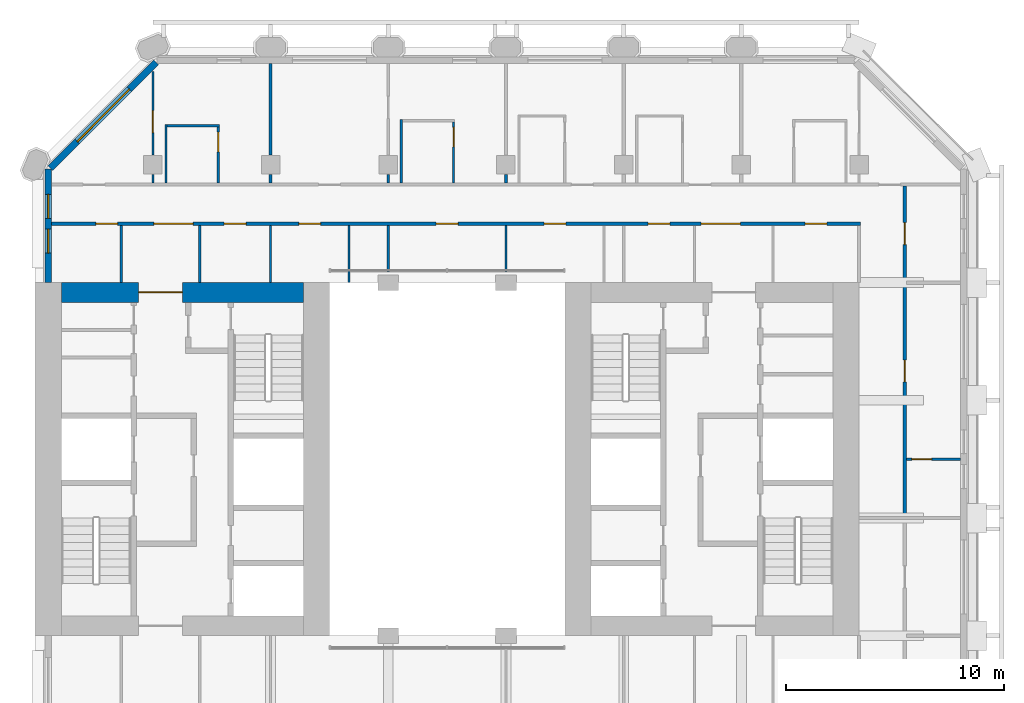
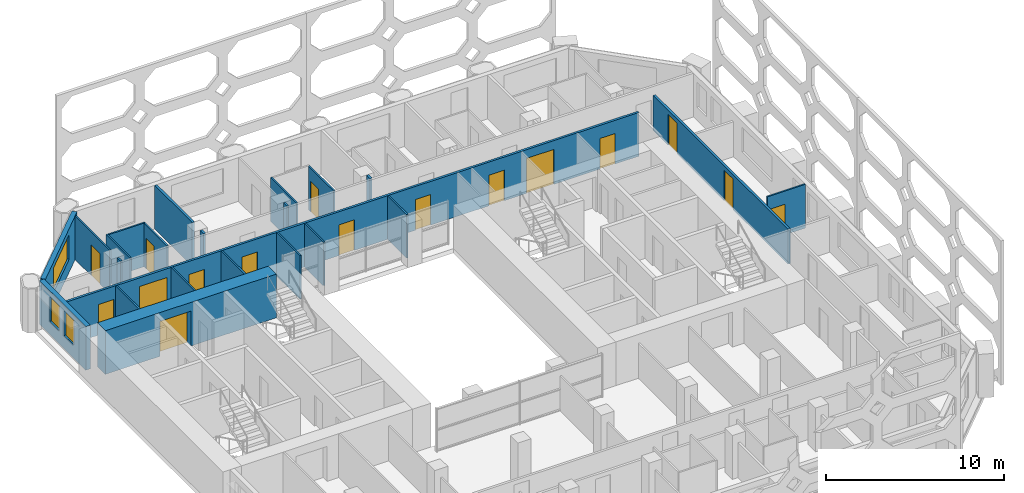
# One storey, part 9 of 14: 23 walls, 16 doors, 3 windows, 19 openings.
"""IFC4 building model written with IfcOpenShell, lengths in metres."""

from ifc_helpers import new_model, si_unit, direction, frame, frame_2d, origin, place, context, subcontext, project, spatial, rectangle, extrude, material, layer, layer_set, type_object, element, fill, save


model = new_model("IFC4")

# Units and contexts
model_context = context("Model", 3, precision=1e-05, world=origin(), true_north=direction((0.0, 1.0)))
body_context = subcontext(model_context, "Body", "Model", "MODEL_VIEW")
ifc_project = project(units=[si_unit("LENGTHUNIT", "METRE"), si_unit("AREAUNIT", "SQUARE_METRE"), si_unit("VOLUMEUNIT", "CUBIC_METRE"), si_unit("PLANEANGLEUNIT", "RADIAN"), si_unit("MASSUNIT", "GRAM", prefix="KILO")], contexts=[model_context])

# Site, building, storey
site_placement = place(None, origin())
site = spatial("IfcSite", under=ifc_project, at=site_placement, CompositionType="ELEMENT")
building_placement = place(site_placement, origin())
building = spatial("IfcBuilding", under=site, at=building_placement, Name="Tabaq Tower and Sports Hall", CompositionType="ELEMENT")
storey_placement = place(building_placement, frame((0.0, 0.0, 166.0)))
storey = spatial("IfcBuildingStorey", under=building, at=storey_placement, Name="L39", CompositionType="ELEMENT", Elevation=166.0)

# Wall, opening, door
ifc_material_1 = material(Name="Concrete C50/60", Category="concrete")
ifc_layer_1 = layer(ifc_material_1, 0.89990234375)
ifc_layer_set_1 = layer_set([ifc_layer_1], Name="Core wall 900 Concrete C50/60")
wall_type_1 = type_object("IfcWallType", Name="Core wall 900 Concrete C50/60", PredefinedType="SOLIDWALL", material=ifc_layer_set_1)
wall_1_placement = place(storey_placement, frame((6.60009765625, 31.949951171875, 0.0), z_axis=(0.0, 0.0, 1.0), x_axis=(1.0, 0.0, 0.0)))
wall_1 = element("IfcWall", 1, at=wall_1_placement, inside=storey, type_object=wall_type_1, Name="Core wall W L39", PredefinedType="SOLIDWALL", context=body_context, shape_type="SweptSolid", body=[
    extrude(rectangle(XDim=11.099853515625, YDim=0.89990234375, at=frame_2d((5.5498046875, 0.0))), origin(), (0.0, 0.0, 1.0), 3.0),
])
opening_1_placement = place(wall_1_placement, frame((3.550048828125, 0.0, 0.0)))
opening_1 = element("IfcOpeningElement", 2, at=opening_1_placement, cuts=wall_1, Name="Opening PD-WL39-02", PredefinedType="OPENING", context=body_context, shape_type="SweptSolid", body=[
    extrude(rectangle(XDim=2.0, YDim=2.39990234375, at=frame_2d((1.0, 1.199951171875))), frame((0.0, 0.449951171875, 0.0), z_axis=(0.0, -1.0, 0.0), x_axis=(1.0, 0.0, 0.0)), (0.0, 0.0, 1.0), 0.89990234375),
])
ifc_material_2 = material(Name="Steel fire door", Category="steel")
door_type_1 = type_object("IfcDoorType", Name="Core entrance door 2000", OperationType="DOUBLE_DOOR_SINGLE_SWING", PredefinedType="DOOR", material=ifc_material_2)
door_1_placement = place(opening_1_placement, origin())
door_1 = element("IfcDoor", 3, at=door_1_placement, inside=storey, type_object=door_type_1, Name="Core entrance north W L39", OperationType="DOUBLE_DOOR_SINGLE_SWING", OverallHeight=2.39990234375, OverallWidth=2.0, PredefinedType="DOOR", context=body_context, shape_type="SweptSolid", body=[
    extrude(rectangle(XDim=2.0, YDim=2.39990234375, at=frame_2d((1.0, 1.199951171875))), frame((0.0, 0.02490234375, 0.0), z_axis=(0.0, -1.0, 0.0), x_axis=(1.0, 0.0, 0.0)), (0.0, 0.0, 1.0), 0.050048828125),
])
fill(opening_1, door_1)

ifc_material_3 = material(Name="Gypsum board on steel studs", Category="steel")
ifc_layer_2 = layer(ifc_material_3, 0.10009765625)
ifc_layer_set_2 = layer_set([ifc_layer_2], Name="Partition 100 Gypsum board")
wall_type_2 = type_object("IfcWallType", Name="Partition 100 Gypsum board", PredefinedType="PARTITIONING", material=ifc_layer_set_2)
wall_2_placement = place(storey_placement, frame((10.800048828125, 42.087890625, 0.0), z_axis=(0.0, 0.0, 1.0), x_axis=(0.0, -1.0, 0.0)))
wall_2 = element("IfcWall", 4, at=wall_2_placement, inside=storey, type_object=wall_type_2, Name="Partition wall L39", PredefinedType="PARTITIONING", context=body_context, shape_type="SweptSolid", body=[
    extrude(rectangle(XDim=3.8427734375, YDim=0.10009765625, at=frame_2d((1.92138671875, 0.0))), origin(), (0.0, 0.0, 1.0), 3.0),
])
opening_2_placement = place(wall_2_placement, frame((1.80029296875, 0.0, 0.0)))
opening_2 = element("IfcOpeningElement", 5, at=opening_2_placement, cuts=wall_2, Name="Opening L39-028", PredefinedType="OPENING", context=body_context, shape_type="SweptSolid", body=[
    extrude(rectangle(XDim=1.0, YDim=2.10009765625, at=frame_2d((0.5, 1.050048828125))), frame((0.0, 0.050048828125, 0.0), z_axis=(0.0, -1.0, 0.0), x_axis=(1.0, 0.0, 0.0)), (0.0, 0.0, 1.0), 0.10009765625),
])
ifc_material_4 = material(Name="Timber leaf in steel frame", Category="steel")
door_type_2 = type_object("IfcDoorType", Name="Internal door 1000 right hand", OperationType="SINGLE_SWING_RIGHT", PredefinedType="DOOR", material=ifc_material_4)
door_2_placement = place(opening_2_placement, origin())
door_2 = element("IfcDoor", 6, at=door_2_placement, inside=storey, type_object=door_type_2, Name="Internal door L39-028", OperationType="SINGLE_SWING_RIGHT", OverallHeight=2.10009765625, OverallWidth=1.0, PredefinedType="DOOR", context=body_context, shape_type="SweptSolid", body=[
    extrude(rectangle(XDim=1.0, YDim=2.10009765625, at=frame_2d((0.5, 1.050048828125))), frame((0.0, 0.02490234375, 0.0), z_axis=(0.0, -1.0, 0.0), x_axis=(1.0, 0.0, 0.0)), (0.0, 0.0, 1.0), 0.050048828125),
])
fill(opening_2, door_2)

# Walls
wall_3_placement = place(storey_placement, frame((10.800048828125, 37.35498046875, 0.0), z_axis=(0.0, 0.0, 1.0), x_axis=(0.0, -1.0, 0.0)))
element("IfcWall", 7, at=wall_3_placement, inside=storey, type_object=wall_type_2, Name="Partition wall L39", PredefinedType="PARTITIONING", context=body_context, shape_type="SweptSolid", body=[
    extrude(rectangle(XDim=0.3798828125, YDim=0.10009765625, at=frame_2d((0.18994140625, 0.0))), origin(), (0.0, 0.0, 1.0), 3.0),
])
wall_4_placement = place(storey_placement, frame((11.39990234375, 36.97509765625, 0.0), z_axis=(0.0, 0.0, 1.0), x_axis=(0.0, 1.0, 0.0)))
element("IfcWall", 8, at=wall_4_placement, inside=storey, type_object=wall_type_2, Name="Partition wall L39", PredefinedType="PARTITIONING", context=body_context, shape_type="SweptSolid", body=[
    extrude(rectangle(XDim=2.6748046875, YDim=0.10009765625, at=frame_2d((1.33740234375, 0.0))), origin(), (0.0, 0.0, 1.0), 3.0),
])
wall_5_placement = place(storey_placement, frame((11.449951171875, 39.60009765625, 0.0), z_axis=(0.0, 0.0, 1.0), x_axis=(1.0, 0.0, 0.0)))
element("IfcWall", 9, at=wall_5_placement, inside=storey, type_object=wall_type_2, Name="Partition wall L39", PredefinedType="PARTITIONING", context=body_context, shape_type="SweptSolid", body=[
    extrude(rectangle(XDim=2.400146484375, YDim=0.10009765625, at=frame_2d((1.2001953125, 0.0))), origin(), (0.0, 0.0, 1.0), 3.0),
])

# Wall, opening, door
wall_6_placement = place(storey_placement, frame((13.800048828125, 39.550048828125, 0.0), z_axis=(0.0, 0.0, 1.0), x_axis=(0.0, -1.0, 0.0)))
wall_6 = element("IfcWall", 10, at=wall_6_placement, inside=storey, type_object=wall_type_2, Name="Partition wall L39", PredefinedType="PARTITIONING", context=body_context, shape_type="SweptSolid", body=[
    extrude(rectangle(XDim=2.574951171875, YDim=0.10009765625, at=frame_2d((1.28759765625, 0.0))), origin(), (0.0, 0.0, 1.0), 3.0),
])
opening_3_placement = place(wall_6_placement, frame((0.25, 0.0, 0.0)))
opening_3 = element("IfcOpeningElement", 11, at=opening_3_placement, cuts=wall_6, Name="Opening L39-002", PredefinedType="OPENING", context=body_context, shape_type="SweptSolid", body=[
    extrude(rectangle(XDim=0.89990234375, YDim=2.10009765625, at=frame_2d((0.449951171875, 1.050048828125))), frame((0.0, 0.050048828125, 0.0), z_axis=(0.0, -1.0, 0.0), x_axis=(1.0, 0.0, 0.0)), (0.0, 0.0, 1.0), 0.10009765625),
])
ifc_material_5 = material(Name="Timber leaf in steel frame", Category="steel")
door_type_3 = type_object("IfcDoorType", Name="Internal door 900 right hand", OperationType="SINGLE_SWING_RIGHT", PredefinedType="DOOR", material=ifc_material_5)
door_3_placement = place(opening_3_placement, origin())
door_3 = element("IfcDoor", 12, at=door_3_placement, inside=storey, type_object=door_type_3, Name="Internal door L39-002", OperationType="SINGLE_SWING_RIGHT", OverallHeight=2.10009765625, OverallWidth=0.89990234375, PredefinedType="DOOR", context=body_context, shape_type="SweptSolid", body=[
    extrude(rectangle(XDim=0.89990234375, YDim=2.10009765625, at=frame_2d((0.449951171875, 1.050048828125))), frame((0.0, 0.02490234375, 0.0), z_axis=(0.0, -1.0, 0.0), x_axis=(1.0, 0.0, 0.0)), (0.0, 0.0, 1.0), 0.050048828125),
])
fill(opening_3, door_3)

# Walls
wall_7_placement = place(storey_placement, frame((21.60009765625, 37.35498046875, 0.0), z_axis=(0.0, 0.0, 1.0), x_axis=(0.0, -1.0, 0.0)))
element("IfcWall", 13, at=wall_7_placement, inside=storey, type_object=wall_type_2, Name="Partition wall L39", PredefinedType="PARTITIONING", context=body_context, shape_type="SweptSolid", body=[
    extrude(rectangle(XDim=0.3798828125, YDim=0.10009765625, at=frame_2d((0.18994140625, 0.0))), origin(), (0.0, 0.0, 1.0), 3.0),
])
wall_8_placement = place(storey_placement, frame((22.199951171875, 36.97509765625, 0.0), z_axis=(0.0, 0.0, 1.0), x_axis=(0.0, 1.0, 0.0)))
element("IfcWall", 14, at=wall_8_placement, inside=storey, type_object=wall_type_2, Name="Partition wall L39", PredefinedType="PARTITIONING", context=body_context, shape_type="SweptSolid", body=[
    extrude(rectangle(XDim=2.89990234375, YDim=0.10009765625, at=frame_2d((1.449951171875, 0.0))), origin(), (0.0, 0.0, 1.0), 3.0),
])

# Wall, opening, door
wall_9_placement = place(storey_placement, frame((24.60009765625, 39.77490234375, 0.0), z_axis=(0.0, 0.0, 1.0), x_axis=(0.0, -1.0, 0.0)))
wall_9 = element("IfcWall", 15, at=wall_9_placement, inside=storey, type_object=wall_type_2, Name="Partition wall L39", PredefinedType="PARTITIONING", context=body_context, shape_type="SweptSolid", body=[
    extrude(rectangle(XDim=2.7998046875, YDim=0.10009765625, at=frame_2d((1.39990234375, 0.0))), origin(), (0.0, 0.0, 1.0), 3.0),
])
opening_4_placement = place(wall_9_placement, frame((0.25, 0.0, 0.0)))
opening_4 = element("IfcOpeningElement", 16, at=opening_4_placement, cuts=wall_9, Name="Opening L39-003", PredefinedType="OPENING", context=body_context, shape_type="SweptSolid", body=[
    extrude(rectangle(XDim=0.89990234375, YDim=2.10009765625, at=frame_2d((0.449951171875, 1.050048828125))), frame((0.0, 0.050048828125, 0.0), z_axis=(0.0, -1.0, 0.0), x_axis=(1.0, 0.0, 0.0)), (0.0, 0.0, 1.0), 0.10009765625),
])
door_4_placement = place(opening_4_placement, origin())
door_4 = element("IfcDoor", 17, at=door_4_placement, inside=storey, type_object=door_type_3, Name="Internal door L39-003", OperationType="SINGLE_SWING_RIGHT", OverallHeight=2.10009765625, OverallWidth=0.89990234375, PredefinedType="DOOR", context=body_context, shape_type="SweptSolid", body=[
    extrude(rectangle(XDim=0.89990234375, YDim=2.10009765625, at=frame_2d((0.449951171875, 1.050048828125))), frame((0.0, 0.02490234375, 0.0), z_axis=(0.0, -1.0, 0.0), x_axis=(1.0, 0.0, 0.0)), (0.0, 0.0, 1.0), 0.050048828125),
])
fill(opening_4, door_4)

# Walls
for number, where, z_axis, x_axis, name in (
    (18, (16.199951171875, 35.02490234375, 0.0), (0.0, 0.0, 1.0), (0.0, -1.0, 0.0), "Partition wall L39"),
    (19, (19.800048828125, 32.39990234375, 0.0), (0.0, 0.0, 1.0), (0.0, 1.0, 0.0), "Partition wall L39"),
):
    element("IfcWall", number, at=place(storey_placement, frame(where, z_axis=z_axis, x_axis=x_axis)), inside=storey, type_object=wall_type_2, Name=name, PredefinedType="PARTITIONING", context=body_context, shape_type="SweptSolid", body=[
        extrude(rectangle(XDim=2.625, YDim=0.10009765625, at=frame_2d((1.3125, 0.0))), origin(), (0.0, 0.0, 1.0), 3.0),
    ])
for number, where, z_axis, x_axis, name in (
    (20, (21.60009765625, 35.02490234375, 0.0), (0.0, 0.0, 1.0), (0.0, -1.0, 0.0), "Partition wall L39"),
    (21, (27.0, 32.89501953125, 0.0), (0.0, 0.0, 1.0), (0.0, 1.0, 0.0), "Partition wall L39"),
):
    element("IfcWall", number, at=place(storey_placement, frame(where, z_axis=z_axis, x_axis=x_axis)), inside=storey, type_object=wall_type_2, Name=name, PredefinedType="PARTITIONING", context=body_context, shape_type="SweptSolid", body=[
        extrude(rectangle(XDim=2.1298828125, YDim=0.10009765625, at=frame_2d((1.06494140625, 0.0))), origin(), (0.0, 0.0, 1.0), 3.0),
    ])

# Wall, opening, door
wall_10_placement = place(storey_placement, frame((45.375, 24.300048828125, 0.0), z_axis=(0.0, 0.0, 1.0), x_axis=(1.0, 0.0, 0.0)))
wall_10 = element("IfcWall", 22, at=wall_10_placement, inside=storey, type_object=wall_type_2, Name="Partition wall L39", PredefinedType="PARTITIONING", context=body_context, shape_type="SweptSolid", body=[
    extrude(rectangle(XDim=2.47412109375, YDim=0.10009765625, at=frame_2d((1.237060546875, 0.0))), origin(), (0.0, 0.0, 1.0), 3.0),
])
opening_5_placement = place(wall_10_placement, frame((0.25, 0.0, 0.0)))
opening_5 = element("IfcOpeningElement", 23, at=opening_5_placement, cuts=wall_10, Name="Opening L39-010", PredefinedType="OPENING", context=body_context, shape_type="SweptSolid", body=[
    extrude(rectangle(XDim=0.89990234375, YDim=2.10009765625, at=frame_2d((0.449951171875, 1.050048828125))), frame((0.0, 0.050048828125, 0.0), z_axis=(0.0, -1.0, 0.0), x_axis=(1.0, 0.0, 0.0)), (0.0, 0.0, 1.0), 0.10009765625),
])
door_5_placement = place(opening_5_placement, origin())
door_5 = element("IfcDoor", 24, at=door_5_placement, inside=storey, type_object=door_type_3, Name="Internal door L39-010", OperationType="SINGLE_SWING_RIGHT", OverallHeight=2.10009765625, OverallWidth=0.89990234375, PredefinedType="DOOR", context=body_context, shape_type="SweptSolid", body=[
    extrude(rectangle(XDim=0.89990234375, YDim=2.10009765625, at=frame_2d((0.449951171875, 1.050048828125))), frame((0.0, 0.02490234375, 0.0), z_axis=(0.0, -1.0, 0.0), x_axis=(1.0, 0.0, 0.0)), (0.0, 0.0, 1.0), 0.050048828125),
])
fill(opening_5, door_5)

# Walls
for number, where, z_axis, x_axis, name in (
    (25, (9.35009765625, 35.02490234375, 0.0), (0.0, 0.0, 1.0), (0.0, -1.0, 0.0), "Partition wall L39"),
    (26, (12.949951171875, 32.39990234375, 0.0), (0.0, 0.0, 1.0), (0.0, 1.0, 0.0), "Partition wall L39"),
):
    element("IfcWall", number, at=place(storey_placement, frame(where, z_axis=z_axis, x_axis=x_axis)), inside=storey, type_object=wall_type_2, Name=name, PredefinedType="PARTITIONING", context=body_context, shape_type="SweptSolid", body=[
        extrude(rectangle(XDim=2.625, YDim=0.10009765625, at=frame_2d((1.3125, 0.0))), origin(), (0.0, 0.0, 1.0), 3.0),
    ])
ifc_material_6 = material(Name="Blockwork", Category="masonry")
ifc_layer_3 = layer(ifc_material_6, 0.14990234375)
ifc_layer_set_3 = layer_set([ifc_layer_3], Name="Separating wall 150 Blockwork")
wall_type_3 = type_object("IfcWallType", Name="Separating wall 150 Blockwork", PredefinedType="PARTITIONING", material=ifc_layer_set_3)
wall_11_placement = place(storey_placement, frame((16.199951171875, 36.97509765625, 0.0), z_axis=(0.0, 0.0, 1.0), x_axis=(0.0, 1.0, 0.0)))
element("IfcWall", 27, at=wall_11_placement, inside=storey, type_object=wall_type_3, Name="Separating wall L39", PredefinedType="PARTITIONING", context=body_context, shape_type="SweptSolid", body=[
    extrude(rectangle(XDim=0.3798828125, YDim=0.14990234375, at=frame_2d((0.18994140625, 0.0))), origin(), (0.0, 0.0, 1.0), 3.0),
])
wall_12_placement = place(storey_placement, frame((16.199951171875, 38.2451171875, 0.0), z_axis=(0.0, 0.0, 1.0), x_axis=(0.0, 1.0, 0.0)))
element("IfcWall", 28, at=wall_12_placement, inside=storey, type_object=wall_type_3, Name="Separating wall L39", PredefinedType="PARTITIONING", context=body_context, shape_type="SweptSolid", body=[
    extrude(rectangle(XDim=4.203857421875, YDim=0.14990234375, at=frame_2d((2.10205078125, 0.0))), origin(), (0.0, 0.0, 1.0), 3.0),
])
wall_13_placement = place(storey_placement, frame((27.0, 36.97509765625, 0.0), z_axis=(0.0, 0.0, 1.0), x_axis=(0.0, 1.0, 0.0)))
element("IfcWall", 29, at=wall_13_placement, inside=storey, type_object=wall_type_3, Name="Separating wall L39", PredefinedType="PARTITIONING", context=body_context, shape_type="SweptSolid", body=[
    extrude(rectangle(XDim=0.3798828125, YDim=0.14990234375, at=frame_2d((0.18994140625, 0.0))), origin(), (0.0, 0.0, 1.0), 3.0),
])

# Wall, openings, doors
wall_14_placement = place(storey_placement, frame((45.300048828125, 36.824951171875, 0.0), z_axis=(0.0, 0.0, 1.0), x_axis=(0.0, -1.0, 0.0)))
wall_14 = element("IfcWall", 30, at=wall_14_placement, inside=storey, type_object=wall_type_3, Name="Separating wall L39", PredefinedType="PARTITIONING", context=body_context, shape_type="SweptSolid", body=[
    extrude(rectangle(XDim=15.14990234375, YDim=0.14990234375, at=frame_2d((7.574951171875, 0.0))), origin(), (0.0, 0.0, 1.0), 2.39990234375),
])
opening_6_placement = place(wall_14_placement, frame((1.675048828125, 0.0, 0.0)))
opening_6 = element("IfcOpeningElement", 31, at=opening_6_placement, cuts=wall_14, Name="Opening L39-001", PredefinedType="OPENING", context=body_context, shape_type="SweptSolid", body=[
    extrude(rectangle(XDim=1.0, YDim=2.10009765625, at=frame_2d((0.5, 1.050048828125))), frame((0.0, 0.074951171875, 0.0), z_axis=(0.0, -1.0, 0.0), x_axis=(1.0, 0.0, 0.0)), (0.0, 0.0, 1.0), 0.14990234375),
])
opening_7_placement = place(wall_14_placement, frame((7.97509765625, 0.0, 0.0)))
opening_7 = element("IfcOpeningElement", 32, at=opening_7_placement, cuts=wall_14, Name="Opening L39-036", PredefinedType="OPENING", context=body_context, shape_type="SweptSolid", body=[
    extrude(rectangle(XDim=1.0, YDim=2.10009765625, at=frame_2d((0.5, 1.050048828125))), frame((0.0, 0.074951171875, 0.0), z_axis=(0.0, -1.0, 0.0), x_axis=(1.0, 0.0, 0.0)), (0.0, 0.0, 1.0), 0.14990234375),
])
ifc_material_7 = material(Name="Steel fire door", Category="steel")
door_type_4 = type_object("IfcDoorType", Name="Entrance door 1000 right hand", OperationType="SINGLE_SWING_RIGHT", PredefinedType="DOOR", material=ifc_material_7)
door_6_placement = place(opening_7_placement, origin())
door_6 = element("IfcDoor", 33, at=door_6_placement, inside=storey, type_object=door_type_4, Name="Entrance door L39-036", OperationType="SINGLE_SWING_RIGHT", OverallHeight=2.10009765625, OverallWidth=1.0, PredefinedType="DOOR", context=body_context, shape_type="SweptSolid", body=[
    extrude(rectangle(XDim=1.0, YDim=2.10009765625, at=frame_2d((0.5, 1.050048828125))), frame((0.0, 0.02490234375, 0.0), z_axis=(0.0, -1.0, 0.0), x_axis=(1.0, 0.0, 0.0)), (0.0, 0.0, 1.0), 0.050048828125),
])
fill(opening_7, door_6)
ifc_material_8 = material(Name="Timber leaf in steel frame", Category="steel")
door_type_5 = type_object("IfcDoorType", Name="Internal door 1000 left hand", OperationType="SINGLE_SWING_LEFT", PredefinedType="DOOR", material=ifc_material_8)
door_7_placement = place(opening_6_placement, origin())
door_7 = element("IfcDoor", 34, at=door_7_placement, inside=storey, type_object=door_type_5, Name="Internal door L39-001", OperationType="SINGLE_SWING_LEFT", OverallHeight=2.10009765625, OverallWidth=1.0, PredefinedType="DOOR", context=body_context, shape_type="SweptSolid", body=[
    extrude(rectangle(XDim=1.0, YDim=2.10009765625, at=frame_2d((0.5, 1.050048828125))), frame((0.0, 0.02490234375, 0.0), z_axis=(0.0, -1.0, 0.0), x_axis=(1.0, 0.0, 0.0)), (0.0, 0.0, 1.0), 0.050048828125),
])
fill(opening_6, door_7)

wall_15_placement = place(storey_placement, frame((43.27490234375, 35.10009765625, 0.0), z_axis=(0.0, 0.0, 1.0), x_axis=(-1.0, 0.0, 0.0)))
wall_15 = element("IfcWall", 35, at=wall_15_placement, inside=storey, type_object=wall_type_3, Name="Separating wall L39", PredefinedType="PARTITIONING", context=body_context, shape_type="SweptSolid", body=[
    extrude(rectangle(XDim=37.1240234375, YDim=0.14990234375, at=frame_2d((18.56201171875, 0.0))), origin(), (0.0, 0.0, 1.0), 3.0),
])
opening_8_placement = place(wall_15_placement, frame((24.77490234375, 0.0, 0.0)))
opening_8 = element("IfcOpeningElement", 36, at=opening_8_placement, cuts=wall_15, Name="Opening L39-007", PredefinedType="OPENING", context=body_context, shape_type="SweptSolid", body=[
    extrude(rectangle(XDim=1.0, YDim=2.10009765625, at=frame_2d((0.5, 1.050048828125))), frame((0.0, 0.074951171875, 0.0), z_axis=(0.0, -1.0, 0.0), x_axis=(1.0, 0.0, 0.0)), (0.0, 0.0, 1.0), 0.14990234375),
])
opening_9_placement = place(wall_15_placement, frame((18.47509765625, 0.0, 0.0)))
opening_9 = element("IfcOpeningElement", 37, at=opening_9_placement, cuts=wall_15, Name="Opening L39-008", PredefinedType="OPENING", context=body_context, shape_type="SweptSolid", body=[
    extrude(rectangle(XDim=1.0, YDim=2.10009765625, at=frame_2d((0.5, 1.050048828125))), frame((0.0, 0.074951171875, 0.0), z_axis=(0.0, -1.0, 0.0), x_axis=(1.0, 0.0, 0.0)), (0.0, 0.0, 1.0), 0.14990234375),
])
opening_10_placement = place(wall_15_placement, frame((13.52490234375, 0.0, 0.0)))
opening_10 = element("IfcOpeningElement", 38, at=opening_10_placement, cuts=wall_15, Name="Opening L39-009", PredefinedType="OPENING", context=body_context, shape_type="SweptSolid", body=[
    extrude(rectangle(XDim=1.0, YDim=2.10009765625, at=frame_2d((0.5, 1.050048828125))), frame((0.0, 0.074951171875, 0.0), z_axis=(0.0, -1.0, 0.0), x_axis=(1.0, 0.0, 0.0)), (0.0, 0.0, 1.0), 0.14990234375),
])
opening_11_placement = place(wall_15_placement, frame((34.094970703125, 0.0, 0.0)))
opening_11 = element("IfcOpeningElement", 39, at=opening_11_placement, cuts=wall_15, Name="Opening L39-011", PredefinedType="OPENING", context=body_context, shape_type="SweptSolid", body=[
    extrude(rectangle(XDim=1.0, YDim=2.10009765625, at=frame_2d((0.5, 1.050048828125))), frame((0.0, 0.074951171875, 0.0), z_axis=(0.0, -1.0, 0.0), x_axis=(1.0, 0.0, 0.0)), (0.0, 0.0, 1.0), 0.14990234375),
])
opening_12_placement = place(wall_15_placement, frame((8.75, 0.0, 0.0)))
opening_12 = element("IfcOpeningElement", 40, at=opening_12_placement, cuts=wall_15, Name="Opening L39-012", PredefinedType="OPENING", context=body_context, shape_type="SweptSolid", body=[
    extrude(rectangle(XDim=1.0, YDim=2.10009765625, at=frame_2d((0.5, 1.050048828125))), frame((0.0, 0.074951171875, 0.0), z_axis=(0.0, -1.0, 0.0), x_axis=(1.0, 0.0, 0.0)), (0.0, 0.0, 1.0), 0.14990234375),
])
opening_13_placement = place(wall_15_placement, frame((1.550048828125, 0.0, 0.0)))
opening_13 = element("IfcOpeningElement", 41, at=opening_13_placement, cuts=wall_15, Name="Opening L39-013", PredefinedType="OPENING", context=body_context, shape_type="SweptSolid", body=[
    extrude(rectangle(XDim=1.0, YDim=2.10009765625, at=frame_2d((0.5, 1.050048828125))), frame((0.0, 0.074951171875, 0.0), z_axis=(0.0, -1.0, 0.0), x_axis=(1.0, 0.0, 0.0)), (0.0, 0.0, 1.0), 0.14990234375),
])
opening_14_placement = place(wall_15_placement, frame((28.199951171875, 0.0, 0.0)))
opening_14 = element("IfcOpeningElement", 42, at=opening_14_placement, cuts=wall_15, Name="Opening L39-014", PredefinedType="OPENING", context=body_context, shape_type="SweptSolid", body=[
    extrude(rectangle(XDim=1.0, YDim=2.10009765625, at=frame_2d((0.5, 1.050048828125))), frame((0.0, 0.074951171875, 0.0), z_axis=(0.0, -1.0, 0.0), x_axis=(1.0, 0.0, 0.0)), (0.0, 0.0, 1.0), 0.14990234375),
])
opening_15_placement = place(wall_15_placement, frame((30.625, 0.0, 0.0)))
opening_15 = element("IfcOpeningElement", 43, at=opening_15_placement, cuts=wall_15, Name="Opening L39-037", PredefinedType="OPENING", context=body_context, shape_type="SweptSolid", body=[
    extrude(rectangle(XDim=1.800048828125, YDim=2.39990234375, at=frame_2d((0.89990234375, 1.199951171875))), frame((0.0, 0.074951171875, 0.0), z_axis=(0.0, -1.0, 0.0), x_axis=(1.0, 0.0, 0.0)), (0.0, 0.0, 1.0), 0.14990234375),
])
opening_16_placement = place(wall_15_placement, frame((5.52490234375, 0.0, 0.0)))
opening_16 = element("IfcOpeningElement", 44, at=opening_16_placement, cuts=wall_15, Name="Opening L39-038", PredefinedType="OPENING", context=body_context, shape_type="SweptSolid", body=[
    extrude(rectangle(XDim=1.800048828125, YDim=2.39990234375, at=frame_2d((0.89990234375, 1.199951171875))), frame((0.0, 0.074951171875, 0.0), z_axis=(0.0, -1.0, 0.0), x_axis=(1.0, 0.0, 0.0)), (0.0, 0.0, 1.0), 0.14990234375),
])
door_8_placement = place(opening_8_placement, origin())
door_8 = element("IfcDoor", 45, at=door_8_placement, inside=storey, type_object=door_type_5, Name="Internal door L39-007", OperationType="SINGLE_SWING_LEFT", OverallHeight=2.10009765625, OverallWidth=1.0, PredefinedType="DOOR", context=body_context, shape_type="SweptSolid", body=[
    extrude(rectangle(XDim=1.0, YDim=2.10009765625, at=frame_2d((0.5, 1.050048828125))), frame((0.0, 0.02490234375, 0.0), z_axis=(0.0, -1.0, 0.0), x_axis=(1.0, 0.0, 0.0)), (0.0, 0.0, 1.0), 0.050048828125),
])
fill(opening_8, door_8)
door_9_placement = place(opening_12_placement, origin())
door_9 = element("IfcDoor", 46, at=door_9_placement, inside=storey, type_object=door_type_5, Name="Internal door L39-012", OperationType="SINGLE_SWING_LEFT", OverallHeight=2.10009765625, OverallWidth=1.0, PredefinedType="DOOR", context=body_context, shape_type="SweptSolid", body=[
    extrude(rectangle(XDim=1.0, YDim=2.10009765625, at=frame_2d((0.5, 1.050048828125))), frame((0.0, 0.02490234375, 0.0), z_axis=(0.0, -1.0, 0.0), x_axis=(1.0, 0.0, 0.0)), (0.0, 0.0, 1.0), 0.050048828125),
])
fill(opening_12, door_9)
door_10_placement = place(opening_14_placement, origin())
door_10 = element("IfcDoor", 47, at=door_10_placement, inside=storey, type_object=door_type_5, Name="Internal door L39-014", OperationType="SINGLE_SWING_LEFT", OverallHeight=2.10009765625, OverallWidth=1.0, PredefinedType="DOOR", context=body_context, shape_type="SweptSolid", body=[
    extrude(rectangle(XDim=1.0, YDim=2.10009765625, at=frame_2d((0.5, 1.050048828125))), frame((0.0, 0.02490234375, 0.0), z_axis=(0.0, -1.0, 0.0), x_axis=(1.0, 0.0, 0.0)), (0.0, 0.0, 1.0), 0.050048828125),
])
fill(opening_14, door_10)
door_11_placement = place(opening_9_placement, origin())
door_11 = element("IfcDoor", 48, at=door_11_placement, inside=storey, type_object=door_type_2, Name="Internal door L39-008", OperationType="SINGLE_SWING_RIGHT", OverallHeight=2.10009765625, OverallWidth=1.0, PredefinedType="DOOR", context=body_context, shape_type="SweptSolid", body=[
    extrude(rectangle(XDim=1.0, YDim=2.10009765625, at=frame_2d((0.5, 1.050048828125))), frame((0.0, 0.02490234375, 0.0), z_axis=(0.0, -1.0, 0.0), x_axis=(1.0, 0.0, 0.0)), (0.0, 0.0, 1.0), 0.050048828125),
])
fill(opening_9, door_11)
door_12_placement = place(opening_10_placement, origin())
door_12 = element("IfcDoor", 49, at=door_12_placement, inside=storey, type_object=door_type_2, Name="Internal door L39-009", OperationType="SINGLE_SWING_RIGHT", OverallHeight=2.10009765625, OverallWidth=1.0, PredefinedType="DOOR", context=body_context, shape_type="SweptSolid", body=[
    extrude(rectangle(XDim=1.0, YDim=2.10009765625, at=frame_2d((0.5, 1.050048828125))), frame((0.0, 0.02490234375, 0.0), z_axis=(0.0, -1.0, 0.0), x_axis=(1.0, 0.0, 0.0)), (0.0, 0.0, 1.0), 0.050048828125),
])
fill(opening_10, door_12)
door_13_placement = place(opening_11_placement, origin())
door_13 = element("IfcDoor", 50, at=door_13_placement, inside=storey, type_object=door_type_2, Name="Internal door L39-011", OperationType="SINGLE_SWING_RIGHT", OverallHeight=2.10009765625, OverallWidth=1.0, PredefinedType="DOOR", context=body_context, shape_type="SweptSolid", body=[
    extrude(rectangle(XDim=1.0, YDim=2.10009765625, at=frame_2d((0.5, 1.050048828125))), frame((0.0, 0.02490234375, 0.0), z_axis=(0.0, -1.0, 0.0), x_axis=(1.0, 0.0, 0.0)), (0.0, 0.0, 1.0), 0.050048828125),
])
fill(opening_11, door_13)
door_14_placement = place(opening_13_placement, origin())
door_14 = element("IfcDoor", 51, at=door_14_placement, inside=storey, type_object=door_type_2, Name="Internal door L39-013", OperationType="SINGLE_SWING_RIGHT", OverallHeight=2.10009765625, OverallWidth=1.0, PredefinedType="DOOR", context=body_context, shape_type="SweptSolid", body=[
    extrude(rectangle(XDim=1.0, YDim=2.10009765625, at=frame_2d((0.5, 1.050048828125))), frame((0.0, 0.02490234375, 0.0), z_axis=(0.0, -1.0, 0.0), x_axis=(1.0, 0.0, 0.0)), (0.0, 0.0, 1.0), 0.050048828125),
])
fill(opening_13, door_14)
ifc_material_9 = material(Name="Timber leaf in steel frame", Category="steel")
door_type_6 = type_object("IfcDoorType", Name="Internal door 1800", OperationType="DOUBLE_DOOR_SINGLE_SWING", PredefinedType="DOOR", material=ifc_material_9)
door_15_placement = place(opening_15_placement, origin())
door_15 = element("IfcDoor", 52, at=door_15_placement, inside=storey, type_object=door_type_6, Name="Internal door L39-037", OperationType="DOUBLE_DOOR_SINGLE_SWING", OverallHeight=2.39990234375, OverallWidth=1.800048828125, PredefinedType="DOOR", context=body_context, shape_type="SweptSolid", body=[
    extrude(rectangle(XDim=1.800048828125, YDim=2.39990234375, at=frame_2d((0.89990234375, 1.199951171875))), frame((0.0, 0.02490234375, 0.0), z_axis=(0.0, -1.0, 0.0), x_axis=(1.0, 0.0, 0.0)), (0.0, 0.0, 1.0), 0.050048828125),
])
fill(opening_15, door_15)
door_16_placement = place(opening_16_placement, origin())
door_16 = element("IfcDoor", 53, at=door_16_placement, inside=storey, type_object=door_type_6, Name="Internal door L39-038", OperationType="DOUBLE_DOOR_SINGLE_SWING", OverallHeight=2.39990234375, OverallWidth=1.800048828125, PredefinedType="DOOR", context=body_context, shape_type="SweptSolid", body=[
    extrude(rectangle(XDim=1.800048828125, YDim=2.39990234375, at=frame_2d((0.89990234375, 1.199951171875))), frame((0.0, 0.02490234375, 0.0), z_axis=(0.0, -1.0, 0.0), x_axis=(1.0, 0.0, 0.0)), (0.0, 0.0, 1.0), 0.050048828125),
])
fill(opening_16, door_16)

# Wall, opening, window
ifc_material_10 = material(Name="White precast concrete C60/75", Category="concrete")
ifc_layer_4 = layer(ifc_material_10, 0.300048828125)
ifc_layer_set_4 = layer_set([ifc_layer_4], Name="White precast concrete C60/75 external wall 300")
wall_type_4 = type_object("IfcWallType", Name="White precast concrete C60/75 external wall 300", PredefinedType="SOLIDWALL", material=ifc_layer_set_4)
wall_16_placement = place(storey_placement, frame((10.949462890625, 42.5009765625, 0.0), z_axis=(0.0, 0.0, 1.0), x_axis=(-0.707106781187, -0.707106781187, 0.0)))
wall_16 = element("IfcWall", 54, at=wall_16_placement, inside=storey, type_object=wall_type_4, Name="External Wall L39 NW", PredefinedType="SOLIDWALL", context=body_context, shape_type="SweptSolid", body=[
    extrude(rectangle(XDim=6.85986328125, YDim=0.300048828125, at=frame_2d((3.429931640625, 0.0))), origin(), (0.0, 0.0, 1.0), 3.0),
])
opening_17_placement = place(wall_16_placement, frame((1.729736328125, 0.0, 0.89990234375)))
opening_17 = element("IfcOpeningElement", 55, at=opening_17_placement, cuts=wall_16, Name="Opening W1A", PredefinedType="OPENING", context=body_context, shape_type="SweptSolid", body=[
    extrude(rectangle(XDim=3.39990234375, YDim=1.699951171875, at=frame_2d((1.699951171875, 0.85009765625))), frame((0.0, 0.16015625, 0.0), z_axis=(0.0, -1.0, 0.0), x_axis=(1.0, 0.0, 0.0)), (0.0, 0.0, 1.0), 0.320068359375),
])
ifc_material_11 = material(Name="Aluminium framed clear glazing", Category="aluminium")
window_type_1 = type_object("IfcWindowType", Name="Window W1A", PartitioningType="SINGLE_PANEL", PredefinedType="WINDOW", material=ifc_material_11)
window_1_placement = place(opening_17_placement, origin())
window_1 = element("IfcWindow", 56, at=window_1_placement, inside=storey, type_object=window_type_1, Name="Window W1A L39", OverallHeight=1.699951171875, OverallWidth=3.39990234375, PartitioningType="SINGLE_PANEL", PredefinedType="WINDOW", context=body_context, shape_type="SweptSolid", body=[
    extrude(rectangle(XDim=3.39990234375, YDim=1.699951171875, at=frame_2d((1.699951171875, 0.85009765625))), frame((0.0, 0.030029296875, 0.0), z_axis=(0.0, -1.0, 0.0), x_axis=(1.0, 0.0, 0.0)), (0.0, 0.0, 1.0), 0.06005859375),
])
fill(opening_17, window_1)

# Wall, openings, windows
wall_17_placement = place(storey_placement, frame((6.0, 37.613525390625, 0.0), z_axis=(0.0, 0.0, 1.0), x_axis=(0.0, -1.0, 0.0)))
wall_17 = element("IfcWall", 57, at=wall_17_placement, inside=storey, type_object=wall_type_4, Name="External Wall L39 W", PredefinedType="SOLIDWALL", context=body_context, shape_type="SweptSolid", body=[
    extrude(rectangle(XDim=5.213623046875, YDim=0.300048828125, at=frame_2d((2.60693359375, 0.0))), origin(), (0.0, 0.0, 1.0), 3.0),
])
opening_18_placement = place(wall_17_placement, frame((1.16357421875, 0.0, 0.89990234375)))
opening_18 = element("IfcOpeningElement", 58, at=opening_18_placement, cuts=wall_17, Name="Opening W1B", PredefinedType="OPENING", context=body_context, shape_type="SweptSolid", body=[
    extrude(rectangle(XDim=1.10009765625, YDim=1.699951171875, at=frame_2d((0.550048828125, 0.85009765625))), frame((0.0, 0.16015625, 0.0), z_axis=(0.0, -1.0, 0.0), x_axis=(1.0, 0.0, 0.0)), (0.0, 0.0, 1.0), 0.320068359375),
])
opening_19_placement = place(wall_17_placement, frame((2.763671875, 0.0, 0.89990234375)))
opening_19 = element("IfcOpeningElement", 59, at=opening_19_placement, cuts=wall_17, Name="Opening W1B", PredefinedType="OPENING", context=body_context, shape_type="SweptSolid", body=[
    extrude(rectangle(XDim=1.10009765625, YDim=1.699951171875, at=frame_2d((0.550048828125, 0.85009765625))), frame((0.0, 0.16015625, 0.0), z_axis=(0.0, -1.0, 0.0), x_axis=(1.0, 0.0, 0.0)), (0.0, 0.0, 1.0), 0.320068359375),
])
ifc_material_12 = material(Name="Aluminium framed clear glazing", Category="aluminium")
window_type_2 = type_object("IfcWindowType", Name="Window W1B", PartitioningType="SINGLE_PANEL", PredefinedType="WINDOW", material=ifc_material_12)
window_2_placement = place(opening_18_placement, origin())
window_2 = element("IfcWindow", 60, at=window_2_placement, inside=storey, type_object=window_type_2, Name="Window W1B L39", OverallHeight=1.699951171875, OverallWidth=1.10009765625, PartitioningType="SINGLE_PANEL", PredefinedType="WINDOW", context=body_context, shape_type="SweptSolid", body=[
    extrude(rectangle(XDim=1.10009765625, YDim=1.699951171875, at=frame_2d((0.550048828125, 0.85009765625))), frame((0.0, 0.030029296875, 0.0), z_axis=(0.0, -1.0, 0.0), x_axis=(1.0, 0.0, 0.0)), (0.0, 0.0, 1.0), 0.06005859375),
])
fill(opening_18, window_2)
window_3_placement = place(opening_19_placement, origin())
window_3 = element("IfcWindow", 61, at=window_3_placement, inside=storey, type_object=window_type_2, Name="Window W1B L39", OverallHeight=1.699951171875, OverallWidth=1.10009765625, PartitioningType="SINGLE_PANEL", PredefinedType="WINDOW", context=body_context, shape_type="SweptSolid", body=[
    extrude(rectangle(XDim=1.10009765625, YDim=1.699951171875, at=frame_2d((0.550048828125, 0.85009765625))), frame((0.0, 0.030029296875, 0.0), z_axis=(0.0, -1.0, 0.0), x_axis=(1.0, 0.0, 0.0)), (0.0, 0.0, 1.0), 0.06005859375),
])
fill(opening_19, window_3)

save(model, "model.ifc")
